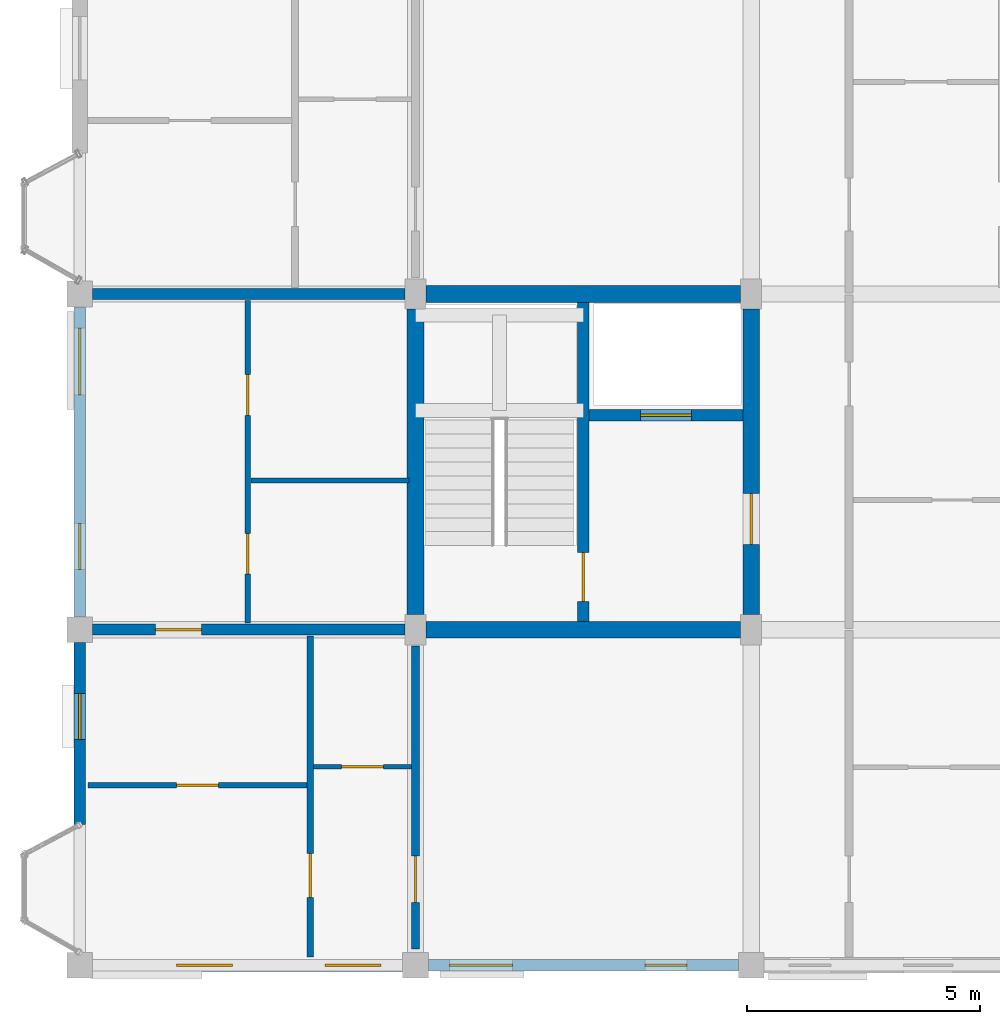
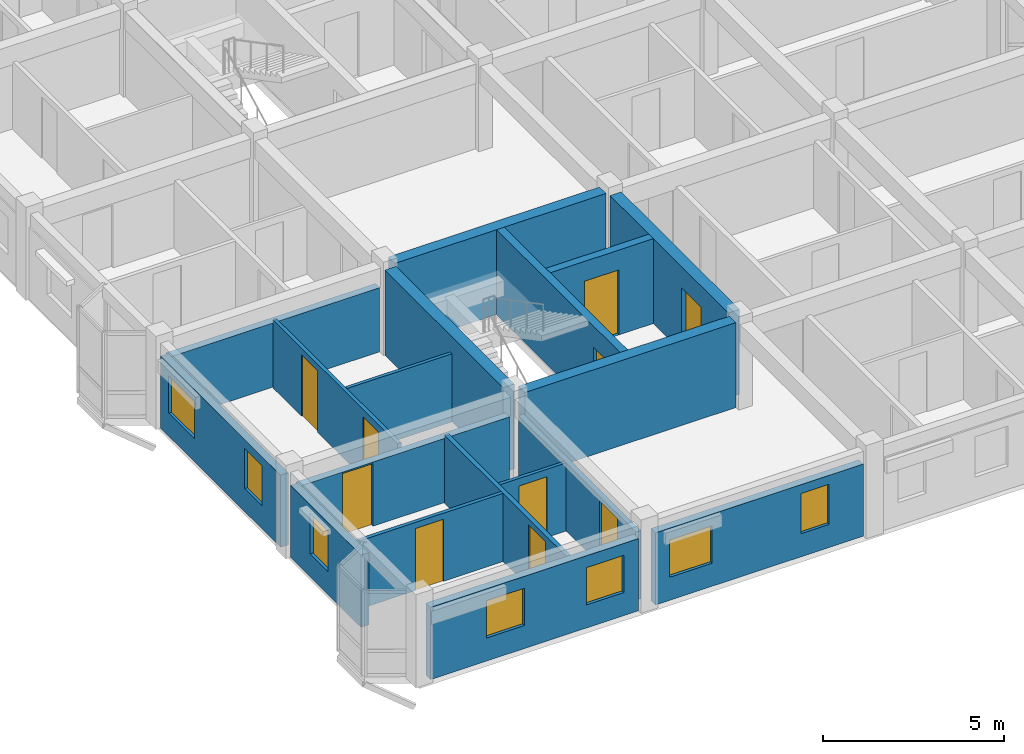
# One storey, part 50 of 77: 18 walls, 10 doors, 7 windows, 17 openings.
"""IFC4 building model written with IfcOpenShell, lengths in metres."""

from ifc_helpers import new_model, si_unit, direction, frame, frame_2d, origin, place, context, subcontext, project, spatial, rectangle, extrude, material, layer, layer_set, type_object, element, fill, save


model = new_model("IFC4")

# Units and contexts
model_context = context("Model", 3, precision=1e-05, world=origin(), true_north=direction((0.0, 1.0)))
body_context = subcontext(model_context, "Body", "Model", "MODEL_VIEW")
ifc_project = project(units=[si_unit("LENGTHUNIT", "METRE"), si_unit("AREAUNIT", "SQUARE_METRE"), si_unit("VOLUMEUNIT", "CUBIC_METRE"), si_unit("PLANEANGLEUNIT", "RADIAN"), si_unit("MASSUNIT", "GRAM", prefix="KILO"), si_unit("THERMODYNAMICTEMPERATUREUNIT", "KELVIN"), si_unit("POWERUNIT", "WATT")], contexts=[model_context])

# Site, building, storey
site_placement = place(None, origin())
site = spatial("IfcSite", under=ifc_project, at=site_placement, CompositionType="ELEMENT")
building_placement = place(site_placement, origin())
building = spatial("IfcBuilding", under=site, at=building_placement, Name="Tavuni Mirador Residences", CompositionType="ELEMENT")
storey_placement = place(building_placement, frame((0.0, 0.0, 17.10009765625)))
storey = spatial("IfcBuildingStorey", under=building, at=storey_placement, Name="L05", CompositionType="ELEMENT", Elevation=17.10009765625)

# Wall, opening, door
ifc_material_1 = material(Name="Precast concrete C40/50", Category="concrete")
ifc_layer_1 = layer(ifc_material_1, 0.25, Name="Precast concrete C40/50", Category="concrete")
ifc_layer_set_1 = layer_set([ifc_layer_1], Name="Precast concrete C40/50")
wall_type_1 = type_object("IfcWallType", Name="WT-COR250", PredefinedType="SHEAR", material=ifc_layer_set_1)
wall_1_placement = place(storey_placement, frame((14.39990234375, 14.580078125, 0.0), z_axis=(0.0, 0.0, 1.0), x_axis=(0.0, 1.0, 0.0)))
wall_1 = element("IfcWall", 1, at=wall_1_placement, inside=storey, type_object=wall_type_1, Name="CWALL-C1-L05-MID", PredefinedType="SHEAR", context=body_context, shape_type="SweptSolid", body=[
    extrude(rectangle(XDim=6.83984375, YDim=0.25, at=frame_2d((3.419921875, 0.0))), origin(), (0.0, 0.0, 1.0), 2.869873046875),
])
opening_1_placement = place(wall_1_placement, frame((0.419921875, 0.0, 0.0)))
opening_1 = element("IfcOpeningElement", 2, at=opening_1_placement, cuts=wall_1, Name="Opening D-01", PredefinedType="OPENING", context=body_context, shape_type="SweptSolid", body=[
    extrude(rectangle(XDim=1.050048828125, YDim=2.14990234375, at=frame_2d((0.52490234375, 1.074951171875))), frame((0.0, 0.135009765625, 0.0), z_axis=(0.0, -1.0, 0.0), x_axis=(1.0, 0.0, 0.0)), (0.0, 0.0, 1.0), 0.27001953125),
])
ifc_material_2 = material(Name="Solid core iroko timber", Category="wood")
door_type_1 = type_object("IfcDoorType", Name="DT-ST1050", OperationType="NOTDEFINED", PredefinedType="DOOR", material=ifc_material_2)
door_1_placement = place(opening_1_placement, origin())
door_1 = element("IfcDoor", 3, at=door_1_placement, inside=storey, type_object=door_type_1, Name="DR-2022", OperationType="SINGLE_SWING_RIGHT", OverallHeight=2.14990234375, OverallWidth=1.050048828125, PredefinedType="DOOR", context=body_context, shape_type="SweptSolid", body=[
    extrude(rectangle(XDim=1.050048828125, YDim=2.14990234375, at=frame_2d((0.52490234375, 1.074951171875))), frame((0.0, 0.02490234375, 0.0), z_axis=(0.0, -1.0, 0.0), x_axis=(1.0, 0.0, 0.0)), (0.0, 0.0, 1.0), 0.050048828125),
])
fill(opening_1, door_1)

wall_2_placement = place(storey_placement, frame((14.52490234375, 19.0, 0.0), z_axis=(0.0, 0.0, 1.0), x_axis=(1.0, 0.0, 0.0)))
wall_2 = element("IfcWall", 4, at=wall_2_placement, inside=storey, type_object=wall_type_1, Name="CWALL-C1-L05-SHF", PredefinedType="SHEAR", context=body_context, shape_type="SweptSolid", body=[
    extrude(rectangle(XDim=3.295166015625, YDim=0.25, at=frame_2d((1.6474609375, 0.0))), origin(), (0.0, 0.0, 1.0), 2.869873046875),
])
opening_2_placement = place(wall_2_placement, frame((1.10009765625, 0.0, 0.0)))
opening_2 = element("IfcOpeningElement", 5, at=opening_2_placement, cuts=wall_2, Name="Opening LD-01", PredefinedType="OPENING", context=body_context, shape_type="SweptSolid", body=[
    extrude(rectangle(XDim=1.10009765625, YDim=2.199951171875, at=frame_2d((0.550048828125, 1.10009765625))), frame((0.0, 0.135009765625, 0.0), z_axis=(0.0, -1.0, 0.0), x_axis=(1.0, 0.0, 0.0)), (0.0, 0.0, 1.0), 0.27001953125),
])
ifc_material_3 = material(Name="Structural steel S355", Category="steel")
door_type_2 = type_object("IfcDoorType", Name="DT-LD-FF", OperationType="SLIDING_TO_LEFT", PredefinedType="DOOR", material=ifc_material_3)
door_2_placement = place(opening_2_placement, origin())
door_2 = element("IfcDoor", 6, at=door_2_placement, inside=storey, type_object=door_type_2, Name="Lift landing door FL-A1 L05", OperationType="SLIDING_TO_LEFT", OverallHeight=2.199951171875, OverallWidth=1.10009765625, PredefinedType="DOOR", context=body_context, shape_type="SweptSolid", body=[
    extrude(rectangle(XDim=1.10009765625, YDim=2.199951171875, at=frame_2d((0.550048828125, 1.10009765625))), frame((0.0, 0.02490234375, 0.0), z_axis=(0.0, -1.0, 0.0), x_axis=(1.0, 0.0, 0.0)), (0.0, 0.0, 1.0), 0.050048828125),
])
fill(opening_2, door_2)

# Walls
ifc_layer_2 = layer(ifc_material_1, 0.360107421875, Name="Precast concrete C40/50", Category="concrete")
ifc_layer_set_2 = layer_set([ifc_layer_2], Name="Precast concrete C40/50")
wall_type_2 = type_object("IfcWallType", Name="WT-COR360", PredefinedType="SHEAR", material=ifc_layer_set_2)
wall_3_placement = place(storey_placement, frame((10.800048828125, 14.72509765625, 0.0), z_axis=(0.0, 0.0, 1.0), x_axis=(0.0, 1.0, 0.0)))
element("IfcWall", 7, at=wall_3_placement, inside=storey, type_object=wall_type_2, Name="CWALL-C1-L05-W", PredefinedType="SHEAR", context=body_context, shape_type="SweptSolid", body=[
    extrude(rectangle(XDim=6.5498046875, YDim=0.360107421875, at=frame_2d((3.27490234375, 0.0))), origin(), (0.0, 0.0, 1.0), 2.869873046875),
])
wall_4_placement = place(storey_placement, frame((11.02490234375, 21.60009765625, 0.0), z_axis=(0.0, 0.0, 1.0), x_axis=(1.0, 0.0, 0.0)))
element("IfcWall", 8, at=wall_4_placement, inside=storey, type_object=wall_type_2, Name="CWALL-C1-L05-N", PredefinedType="SHEAR", context=body_context, shape_type="SweptSolid", body=[
    extrude(rectangle(XDim=6.75, YDim=0.360107421875, at=frame_2d((3.375, 0.0))), origin(), (0.0, 0.0, 1.0), 2.869873046875),
])

# Wall, opening, door
wall_5_placement = place(storey_placement, frame((18.0, 14.72509765625, 0.0), z_axis=(0.0, 0.0, 1.0), x_axis=(0.0, 1.0, 0.0)))
wall_5 = element("IfcWall", 9, at=wall_5_placement, inside=storey, type_object=wall_type_2, Name="CWALL-C1-L05-E", PredefinedType="SHEAR", context=body_context, shape_type="SweptSolid", body=[
    extrude(rectangle(XDim=6.5498046875, YDim=0.360107421875, at=frame_2d((3.27490234375, 0.0))), origin(), (0.0, 0.0, 1.0), 2.869873046875),
])
opening_3_placement = place(wall_5_placement, frame((1.5, 0.0, 0.0)))
opening_3 = element("IfcOpeningElement", 10, at=opening_3_placement, cuts=wall_5, Name="Opening D-02", PredefinedType="OPENING", context=body_context, shape_type="SweptSolid", body=[
    extrude(rectangle(XDim=1.10009765625, YDim=2.14990234375, at=frame_2d((0.550048828125, 1.074951171875))), frame((0.0, 0.18994140625, 0.0), z_axis=(0.0, -1.0, 0.0), x_axis=(1.0, 0.0, 0.0)), (0.0, 0.0, 1.0), 0.380126953125),
])
door_type_3 = type_object("IfcDoorType", Name="DT-LOB1100", OperationType="NOTDEFINED", PredefinedType="DOOR", material=ifc_material_2)
door_3_placement = place(opening_3_placement, frame((1.10009765625, 0.0, 0.0), z_axis=(0.0, 0.0, 1.0), x_axis=(-1.0, 0.0, 0.0)))
door_3 = element("IfcDoor", 11, at=door_3_placement, inside=storey, type_object=door_type_3, Name="DR-2021", OperationType="SINGLE_SWING_RIGHT", OverallHeight=2.14990234375, OverallWidth=1.10009765625, PredefinedType="DOOR", context=body_context, shape_type="SweptSolid", body=[
    extrude(rectangle(XDim=1.10009765625, YDim=2.14990234375, at=frame_2d((0.550048828125, 1.074951171875))), frame((0.0, 0.02490234375, 0.0), z_axis=(0.0, -1.0, 0.0), x_axis=(1.0, 0.0, 0.0)), (0.0, 0.0, 1.0), 0.050048828125),
])
fill(opening_3, door_3)

# Wall
wall_6_placement = place(storey_placement, frame((11.02490234375, 14.39990234375, 0.0), z_axis=(0.0, 0.0, 1.0), x_axis=(1.0, 0.0, 0.0)))
element("IfcWall", 12, at=wall_6_placement, inside=storey, type_object=wall_type_2, Name="CWALL-C1-L05-SS", PredefinedType="SHEAR", context=body_context, shape_type="SweptSolid", body=[
    extrude(rectangle(XDim=6.75, YDim=0.360107421875, at=frame_2d((3.375, 0.0))), origin(), (0.0, 0.0, 1.0), 2.869873046875),
])

# Wall, opening, door
ifc_layer_3 = layer(ifc_material_1, 0.1650390625, Name="Precast concrete C40/50", Category="concrete")
ifc_layer_set_3 = layer_set([ifc_layer_3], Name="Precast concrete C40/50")
wall_type_3 = type_object("IfcWallType", Name="WT-CORR165", PredefinedType="PARTITIONING", material=ifc_layer_set_3)
wall_7_placement = place(storey_placement, frame((10.800048828125, 7.550048828125, 0.0), z_axis=(0.0, 0.0, 1.0), x_axis=(0.0, 1.0, 0.0)))
wall_7 = element("IfcWall", 13, at=wall_7_placement, inside=storey, type_object=wall_type_3, Name="CORW-BLK-A-L05-1-00", PredefinedType="PARTITIONING", context=body_context, shape_type="SweptSolid", body=[
    extrude(rectangle(XDim=6.5, YDim=0.1650390625, at=frame_2d((3.25, 0.0))), origin(), (0.0, 0.0, 1.0), 2.304931640625),
])
opening_4_placement = place(wall_7_placement, frame((1.0, 0.0, 0.0)))
opening_4 = element("IfcOpeningElement", 14, at=opening_4_placement, cuts=wall_7, Name="Opening D-03", PredefinedType="OPENING", context=body_context, shape_type="SweptSolid", body=[
    extrude(rectangle(XDim=1.0, YDim=2.14990234375, at=frame_2d((0.5, 1.074951171875))), frame((0.0, 0.092529296875, 0.0), z_axis=(0.0, -1.0, 0.0), x_axis=(1.0, 0.0, 0.0)), (0.0, 0.0, 1.0), 0.18505859375),
])
door_type_4 = type_object("IfcDoorType", Name="DT-FD60-1000", OperationType="NOTDEFINED", PredefinedType="DOOR", material=ifc_material_2)
door_4_placement = place(opening_4_placement, origin())
door_4 = element("IfcDoor", 15, at=door_4_placement, inside=storey, type_object=door_type_4, Name="DR-2439", OperationType="SINGLE_SWING_RIGHT", OverallHeight=2.14990234375, OverallWidth=1.0, PredefinedType="DOOR", context=body_context, shape_type="SweptSolid", body=[
    extrude(rectangle(XDim=1.0, YDim=2.14990234375, at=frame_2d((0.5, 1.074951171875))), frame((0.0, 0.02490234375, 0.0), z_axis=(0.0, -1.0, 0.0), x_axis=(1.0, 0.0, 0.0)), (0.0, 0.0, 1.0), 0.050048828125),
])
fill(opening_4, door_4)

# Wall, openings, windows
ifc_material_4 = material(Name="Sgraffito lime-rendered precast concrete C40/50", Category="concrete")
ifc_layer_4 = layer(ifc_material_4, 0.2451171875, Name="Sgraffito lime-rendered precast concrete C40/50", Category="concrete")
ifc_layer_set_4 = layer_set([ifc_layer_4], Name="Sgraffito lime-rendered precast concrete C40/50")
wall_type_4 = type_object("IfcWallType", Name="WT-EXT-PC245", PredefinedType="SOLIDWALL", material=ifc_layer_set_4)
wall_8_placement = place(storey_placement, frame((11.074951171875, 7.199951171875, 0.0), z_axis=(0.0, 0.0, 1.0), x_axis=(1.0, 0.0, 0.0)))
wall_8 = element("IfcWall", 16, at=wall_8_placement, inside=storey, type_object=wall_type_4, Name="EW-BLK-A-L05-S01", PredefinedType="SOLIDWALL", context=body_context, shape_type="SweptSolid", body=[
    extrude(rectangle(XDim=6.650146484375, YDim=0.2451171875, at=frame_2d((3.3251953125, 0.0))), origin(), (0.0, 0.0, 1.0), 2.43994140625),
])
opening_5_placement = place(wall_8_placement, frame((0.449951171875, 0.0, 0.780029296875)))
opening_5 = element("IfcOpeningElement", 17, at=opening_5_placement, cuts=wall_8, Name="Opening WN-15", PredefinedType="OPENING", context=body_context, shape_type="SweptSolid", body=[
    extrude(rectangle(XDim=1.360107421875, YDim=1.260009765625, at=frame_2d((0.68017578125, 0.6298828125))), frame((0.0, 0.132568359375, 0.0), z_axis=(0.0, -1.0, 0.0), x_axis=(1.0, 0.0, 0.0)), (0.0, 0.0, 1.0), 0.26513671875),
])
opening_6_placement = place(wall_8_placement, frame((4.64990234375, 0.0, 0.780029296875)))
opening_6 = element("IfcOpeningElement", 18, at=opening_6_placement, cuts=wall_8, Name="Opening WN-17", PredefinedType="OPENING", context=body_context, shape_type="SweptSolid", body=[
    extrude(rectangle(XDim=0.89990234375, YDim=1.360107421875, at=frame_2d((0.449951171875, 0.68017578125))), frame((0.0, 0.132568359375, 0.0), z_axis=(0.0, -1.0, 0.0), x_axis=(1.0, 0.0, 0.0)), (0.0, 0.0, 1.0), 0.26513671875),
])
ifc_material_5 = material(Name="Laminated solar-control glass", Category="glass")
window_type_1 = type_object("IfcWindowType", Name="WNT-15", PartitioningType="SINGLE_PANEL", PredefinedType="WINDOW", material=ifc_material_5)
window_1_placement = place(opening_5_placement, origin())
window_1 = element("IfcWindow", 19, at=window_1_placement, inside=storey, type_object=window_type_1, Name="WIN-0189", OverallHeight=1.260009765625, OverallWidth=1.360107421875, PartitioningType="SINGLE_PANEL", PredefinedType="WINDOW", context=body_context, shape_type="SweptSolid", body=[
    extrude(rectangle(XDim=1.360107421875, YDim=1.260009765625, at=frame_2d((0.68017578125, 0.6298828125))), frame((0.0, 0.030029296875, 0.0), z_axis=(0.0, -1.0, 0.0), x_axis=(1.0, 0.0, 0.0)), (0.0, 0.0, 1.0), 0.06005859375),
])
fill(opening_5, window_1)
window_type_2 = type_object("IfcWindowType", Name="WNT-17", PartitioningType="SINGLE_PANEL", PredefinedType="WINDOW", material=ifc_material_5)
window_2_placement = place(opening_6_placement, origin())
window_2 = element("IfcWindow", 20, at=window_2_placement, inside=storey, type_object=window_type_2, Name="WIN-0190", OverallHeight=1.360107421875, OverallWidth=0.89990234375, PartitioningType="SINGLE_PANEL", PredefinedType="WINDOW", context=body_context, shape_type="SweptSolid", body=[
    extrude(rectangle(XDim=0.89990234375, YDim=1.360107421875, at=frame_2d((0.449951171875, 0.68017578125))), frame((0.0, 0.030029296875, 0.0), z_axis=(0.0, -1.0, 0.0), x_axis=(1.0, 0.0, 0.0)), (0.0, 0.0, 1.0), 0.06005859375),
])
fill(opening_6, window_2)

wall_9_placement = place(storey_placement, frame((3.60009765625, 21.324951171875, 0.0), z_axis=(0.0, 0.0, 1.0), x_axis=(0.0, -1.0, 0.0)))
wall_9 = element("IfcWall", 21, at=wall_9_placement, inside=storey, type_object=wall_type_4, Name="EW-BLK-A-L05-W01", PredefinedType="SOLIDWALL", context=body_context, shape_type="SweptSolid", body=[
    extrude(rectangle(XDim=6.64990234375, YDim=0.2451171875, at=frame_2d((3.324951171875, 0.0))), origin(), (0.0, 0.0, 1.0), 2.43994140625),
])
opening_7_placement = place(wall_9_placement, frame((0.449951171875, 0.0, 0.780029296875)))
opening_7 = element("IfcOpeningElement", 22, at=opening_7_placement, cuts=wall_9, Name="Opening WN-16", PredefinedType="OPENING", context=body_context, shape_type="SweptSolid", body=[
    extrude(rectangle(XDim=1.43994140625, YDim=1.260009765625, at=frame_2d((0.719970703125, 0.6298828125))), frame((0.0, 0.132568359375, 0.0), z_axis=(0.0, -1.0, 0.0), x_axis=(1.0, 0.0, 0.0)), (0.0, 0.0, 1.0), 0.26513671875),
])
opening_8_placement = place(wall_9_placement, frame((4.64990234375, 0.0, 0.780029296875)))
opening_8 = element("IfcOpeningElement", 23, at=opening_8_placement, cuts=wall_9, Name="Opening WN-18", PredefinedType="OPENING", context=body_context, shape_type="SweptSolid", body=[
    extrude(rectangle(XDim=0.97998046875, YDim=1.360107421875, at=frame_2d((0.489990234375, 0.68017578125))), frame((0.0, 0.132568359375, 0.0), z_axis=(0.0, -1.0, 0.0), x_axis=(1.0, 0.0, 0.0)), (0.0, 0.0, 1.0), 0.26513671875),
])
window_type_3 = type_object("IfcWindowType", Name="WNT-16", PartitioningType="SINGLE_PANEL", PredefinedType="WINDOW", material=ifc_material_5)
window_3_placement = place(opening_7_placement, origin())
window_3 = element("IfcWindow", 24, at=window_3_placement, inside=storey, type_object=window_type_3, Name="WIN-0220", OverallHeight=1.260009765625, OverallWidth=1.43994140625, PartitioningType="SINGLE_PANEL", PredefinedType="WINDOW", context=body_context, shape_type="SweptSolid", body=[
    extrude(rectangle(XDim=1.43994140625, YDim=1.260009765625, at=frame_2d((0.719970703125, 0.6298828125))), frame((0.0, 0.030029296875, 0.0), z_axis=(0.0, -1.0, 0.0), x_axis=(1.0, 0.0, 0.0)), (0.0, 0.0, 1.0), 0.06005859375),
])
fill(opening_7, window_3)
window_type_4 = type_object("IfcWindowType", Name="WNT-18", PartitioningType="SINGLE_PANEL", PredefinedType="WINDOW", material=ifc_material_5)
window_4_placement = place(opening_8_placement, origin())
window_4 = element("IfcWindow", 25, at=window_4_placement, inside=storey, type_object=window_type_4, Name="WIN-0221", OverallHeight=1.360107421875, OverallWidth=0.97998046875, PartitioningType="SINGLE_PANEL", PredefinedType="WINDOW", context=body_context, shape_type="SweptSolid", body=[
    extrude(rectangle(XDim=0.97998046875, YDim=1.360107421875, at=frame_2d((0.489990234375, 0.68017578125))), frame((0.0, 0.030029296875, 0.0), z_axis=(0.0, -1.0, 0.0), x_axis=(1.0, 0.0, 0.0)), (0.0, 0.0, 1.0), 0.06005859375),
])
fill(opening_8, window_4)

ifc_layer_5 = layer(ifc_material_4, 0.2548828125, Name="Sgraffito lime-rendered precast concrete C40/50", Category="concrete")
ifc_layer_set_5 = layer_set([ifc_layer_5], Name="Sgraffito lime-rendered precast concrete C40/50")
wall_type_5 = type_object("IfcWallType", Name="WT-EXT-PC255", PredefinedType="SOLIDWALL", material=ifc_layer_set_5)
wall_10_placement = place(storey_placement, frame((3.875, 7.199951171875, 0.0), z_axis=(0.0, 0.0, 1.0), x_axis=(1.0, 0.0, 0.0)))
wall_10 = element("IfcWall", 26, at=wall_10_placement, inside=storey, type_object=wall_type_5, Name="EW-BLK-A-L05-S00", PredefinedType="SOLIDWALL", context=body_context, shape_type="SweptSolid", body=[
    extrude(rectangle(XDim=6.64990234375, YDim=0.2548828125, at=frame_2d((3.324951171875, 0.0))), origin(), (0.0, 0.0, 1.0), 2.43994140625),
])
opening_9_placement = place(wall_10_placement, frame((1.802490234375, 0.0, 0.780029296875)))
opening_9 = element("IfcOpeningElement", 27, at=opening_9_placement, cuts=wall_10, Name="Opening WN-13", PredefinedType="OPENING", context=body_context, shape_type="SweptSolid", body=[
    extrude(rectangle(XDim=1.199951171875, YDim=1.260009765625, at=frame_2d((0.60009765625, 0.6298828125))), frame((0.0, 0.137451171875, 0.0), z_axis=(0.0, -1.0, 0.0), x_axis=(1.0, 0.0, 0.0)), (0.0, 0.0, 1.0), 0.27490234375),
])
opening_10_placement = place(wall_10_placement, frame((4.987548828125, 0.0, 0.780029296875)))
opening_10 = element("IfcOpeningElement", 28, at=opening_10_placement, cuts=wall_10, Name="Opening WN-13", PredefinedType="OPENING", context=body_context, shape_type="SweptSolid", body=[
    extrude(rectangle(XDim=1.199951171875, YDim=1.260009765625, at=frame_2d((0.60009765625, 0.6298828125))), frame((0.0, 0.137451171875, 0.0), z_axis=(0.0, -1.0, 0.0), x_axis=(1.0, 0.0, 0.0)), (0.0, 0.0, 1.0), 0.27490234375),
])
window_type_5 = type_object("IfcWindowType", Name="WNT-13", PartitioningType="SINGLE_PANEL", PredefinedType="WINDOW", material=ifc_material_5)
window_5_placement = place(opening_9_placement, origin())
window_5 = element("IfcWindow", 29, at=window_5_placement, inside=storey, type_object=window_type_5, Name="WIN-0187", OverallHeight=1.260009765625, OverallWidth=1.199951171875, PartitioningType="SINGLE_PANEL", PredefinedType="WINDOW", context=body_context, shape_type="SweptSolid", body=[
    extrude(rectangle(XDim=1.199951171875, YDim=1.260009765625, at=frame_2d((0.60009765625, 0.6298828125))), frame((0.0, 0.030029296875, 0.0), z_axis=(0.0, -1.0, 0.0), x_axis=(1.0, 0.0, 0.0)), (0.0, 0.0, 1.0), 0.06005859375),
])
fill(opening_9, window_5)
window_6_placement = place(opening_10_placement, origin())
window_6 = element("IfcWindow", 30, at=window_6_placement, inside=storey, type_object=window_type_5, Name="WIN-0188", OverallHeight=1.260009765625, OverallWidth=1.199951171875, PartitioningType="SINGLE_PANEL", PredefinedType="WINDOW", context=body_context, shape_type="SweptSolid", body=[
    extrude(rectangle(XDim=1.199951171875, YDim=1.260009765625, at=frame_2d((0.60009765625, 0.6298828125))), frame((0.0, 0.030029296875, 0.0), z_axis=(0.0, -1.0, 0.0), x_axis=(1.0, 0.0, 0.0)), (0.0, 0.0, 1.0), 0.06005859375),
])
fill(opening_10, window_6)

# Wall, opening, window
wall_11_placement = place(storey_placement, frame((3.60009765625, 14.125, 0.0), z_axis=(0.0, 0.0, 1.0), x_axis=(0.0, -1.0, 0.0)))
wall_11 = element("IfcWall", 31, at=wall_11_placement, inside=storey, type_object=wall_type_5, Name="EW-BLK-A-L05-W00", PredefinedType="SOLIDWALL", context=body_context, shape_type="SweptSolid", body=[
    extrude(rectangle(XDim=3.905029296875, YDim=0.2548828125, at=frame_2d((1.95263671875, 0.0))), origin(), (0.0, 0.0, 1.0), 2.43994140625),
])
opening_11_placement = place(wall_11_placement, frame((1.097412109375, 0.0, 0.780029296875)))
opening_11 = element("IfcOpeningElement", 32, at=opening_11_placement, cuts=wall_11, Name="Opening WN-18", PredefinedType="OPENING", context=body_context, shape_type="SweptSolid", body=[
    extrude(rectangle(XDim=0.97998046875, YDim=1.360107421875, at=frame_2d((0.489990234375, 0.68017578125))), frame((0.0, 0.137451171875, 0.0), z_axis=(0.0, -1.0, 0.0), x_axis=(1.0, 0.0, 0.0)), (0.0, 0.0, 1.0), 0.27490234375),
])
window_7_placement = place(opening_11_placement, origin())
window_7 = element("IfcWindow", 33, at=window_7_placement, inside=storey, type_object=window_type_4, Name="WIN-0222", OverallHeight=1.360107421875, OverallWidth=0.97998046875, PartitioningType="SINGLE_PANEL", PredefinedType="WINDOW", context=body_context, shape_type="SweptSolid", body=[
    extrude(rectangle(XDim=0.97998046875, YDim=1.360107421875, at=frame_2d((0.489990234375, 0.68017578125))), frame((0.0, 0.030029296875, 0.0), z_axis=(0.0, -1.0, 0.0), x_axis=(1.0, 0.0, 0.0)), (0.0, 0.0, 1.0), 0.06005859375),
])
fill(opening_11, window_7)

# Wall, opening, door
ifc_material_6 = material(Name="Acoustic gypsum and concrete block partition", Category="concrete")
ifc_layer_6 = layer(ifc_material_6, 0.10498046875, Name="Acoustic gypsum and concrete block partition", Category="concrete")
ifc_layer_set_6 = layer_set([ifc_layer_6], Name="Acoustic gypsum and concrete block partition")
wall_type_6 = type_object("IfcWallType", Name="WT-PART105", PredefinedType="PARTITIONING", material=ifc_layer_set_6)
wall_12_placement = place(storey_placement, frame((8.610107421875, 11.4599609375, 0.0), z_axis=(0.0, 0.0, 1.0), x_axis=(1.0, 0.0, 0.0)))
wall_12 = element("IfcWall", 34, at=wall_12_placement, inside=storey, type_object=wall_type_6, Name="PW-BLK-A-L05-W00-IN1", PredefinedType="PARTITIONING", context=body_context, shape_type="SweptSolid", body=[
    extrude(rectangle(XDim=2.099853515625, YDim=0.10498046875, at=frame_2d((1.0498046875, 0.0))), origin(), (0.0, 0.0, 1.0), 2.304931640625),
])
opening_12_placement = place(wall_12_placement, frame((0.60009765625, 0.0, 0.0)))
opening_12 = element("IfcOpeningElement", 35, at=opening_12_placement, cuts=wall_12, Name="Opening D-09", PredefinedType="OPENING", context=body_context, shape_type="SweptSolid", body=[
    extrude(rectangle(XDim=0.89990234375, YDim=2.050048828125, at=frame_2d((0.449951171875, 1.02490234375))), frame((0.0, 0.0625, 0.0), z_axis=(0.0, -1.0, 0.0), x_axis=(1.0, 0.0, 0.0)), (0.0, 0.0, 1.0), 0.125),
])
door_type_5 = type_object("IfcDoorType", Name="DT-WC900", OperationType="NOTDEFINED", PredefinedType="DOOR", material=ifc_material_2)
door_5_placement = place(opening_12_placement, origin())
door_5 = element("IfcDoor", 36, at=door_5_placement, inside=storey, type_object=door_type_5, Name="DR-3100", OperationType="SINGLE_SWING_RIGHT", OverallHeight=2.050048828125, OverallWidth=0.89990234375, PredefinedType="DOOR", context=body_context, shape_type="SweptSolid", body=[
    extrude(rectangle(XDim=0.89990234375, YDim=2.050048828125, at=frame_2d((0.449951171875, 1.02490234375))), frame((0.0, 0.02490234375, 0.0), z_axis=(0.0, -1.0, 0.0), x_axis=(1.0, 0.0, 0.0)), (0.0, 0.0, 1.0), 0.050048828125),
])
fill(opening_12, door_5)

# Wall
wall_13_placement = place(storey_placement, frame((7.27001953125, 17.60009765625, 0.0), z_axis=(0.0, 0.0, 1.0), x_axis=(1.0, 0.0, 0.0)))
element("IfcWall", 37, at=wall_13_placement, inside=storey, type_object=wall_type_6, Name="PW-BLK-A-L05-WC01-H", PredefinedType="PARTITIONING", context=body_context, shape_type="SweptSolid", body=[
    extrude(rectangle(XDim=3.389892578125, YDim=0.10498046875, at=frame_2d((1.69482421875, 0.0))), origin(), (0.0, 0.0, 1.0), 2.304931640625),
])

# Wall, opening, door
ifc_layer_7 = layer(ifc_material_6, 0.114990234375, Name="Acoustic gypsum and concrete block partition", Category="concrete")
ifc_layer_set_7 = layer_set([ifc_layer_7], Name="Acoustic gypsum and concrete block partition")
wall_type_7 = type_object("IfcWallType", Name="WT-PART115", PredefinedType="PARTITIONING", material=ifc_layer_set_7)
wall_14_placement = place(storey_placement, frame((3.77490234375, 11.06005859375, 0.0), z_axis=(0.0, 0.0, 1.0), x_axis=(1.0, 0.0, 0.0)))
wall_14 = element("IfcWall", 38, at=wall_14_placement, inside=storey, type_object=wall_type_7, Name="PW-BLK-A-L05-W00-OUT", PredefinedType="PARTITIONING", context=body_context, shape_type="SweptSolid", body=[
    extrude(rectangle(XDim=4.695068359375, YDim=0.114990234375, at=frame_2d((2.34765625, 0.0))), origin(), (0.0, 0.0, 1.0), 2.304931640625),
])
opening_13_placement = place(wall_14_placement, frame((1.8974609375, 0.0, 0.0)))
opening_13 = element("IfcOpeningElement", 39, at=opening_13_placement, cuts=wall_14, Name="Opening D-07", PredefinedType="OPENING", context=body_context, shape_type="SweptSolid", body=[
    extrude(rectangle(XDim=0.89990234375, YDim=2.10009765625, at=frame_2d((0.449951171875, 1.050048828125))), frame((0.0, 0.0673828125, 0.0), z_axis=(0.0, -1.0, 0.0), x_axis=(1.0, 0.0, 0.0)), (0.0, 0.0, 1.0), 0.135009765625),
])
door_type_6 = type_object("IfcDoorType", Name="DT-BED900", OperationType="NOTDEFINED", PredefinedType="DOOR", material=ifc_material_2)
door_6_placement = place(opening_13_placement, origin())
door_6 = element("IfcDoor", 40, at=door_6_placement, inside=storey, type_object=door_type_6, Name="DR-3099", OperationType="SINGLE_SWING_LEFT", OverallHeight=2.10009765625, OverallWidth=0.89990234375, PredefinedType="DOOR", context=body_context, shape_type="SweptSolid", body=[
    extrude(rectangle(XDim=0.89990234375, YDim=2.10009765625, at=frame_2d((0.449951171875, 1.050048828125))), frame((0.0, 0.02490234375, 0.0), z_axis=(0.0, -1.0, 0.0), x_axis=(1.0, 0.0, 0.0)), (0.0, 0.0, 1.0), 0.050048828125),
])
fill(opening_13, door_6)

# Wall, openings, doors
wall_15_placement = place(storey_placement, frame((7.199951171875, 14.5400390625, 0.0), z_axis=(0.0, 0.0, 1.0), x_axis=(0.0, 1.0, 0.0)))
wall_15 = element("IfcWall", 41, at=wall_15_placement, inside=storey, type_object=wall_type_7, Name="PW-BLK-A-L05-WC01-M", PredefinedType="PARTITIONING", context=body_context, shape_type="SweptSolid", body=[
    extrude(rectangle(XDim=6.919921875, YDim=0.114990234375, at=frame_2d((3.4599609375, 0.0))), origin(), (0.0, 0.0, 1.0), 2.304931640625),
])
opening_14_placement = place(wall_15_placement, frame((1.050048828125, 0.0, 0.0)))
opening_14 = element("IfcOpeningElement", 42, at=opening_14_placement, cuts=wall_15, Name="Opening D-10", PredefinedType="OPENING", context=body_context, shape_type="SweptSolid", body=[
    extrude(rectangle(XDim=0.8701171875, YDim=2.050048828125, at=frame_2d((0.43505859375, 1.02490234375))), frame((0.0, 0.0673828125, 0.0), z_axis=(0.0, -1.0, 0.0), x_axis=(1.0, 0.0, 0.0)), (0.0, 0.0, 1.0), 0.135009765625),
])
opening_15_placement = place(wall_15_placement, frame((4.449951171875, 0.0, 0.0)))
opening_15 = element("IfcOpeningElement", 43, at=opening_15_placement, cuts=wall_15, Name="Opening D-08", PredefinedType="OPENING", context=body_context, shape_type="SweptSolid", body=[
    extrude(rectangle(XDim=0.8798828125, YDim=2.080078125, at=frame_2d((0.43994140625, 1.0400390625))), frame((0.0, 0.0673828125, 0.0), z_axis=(0.0, -1.0, 0.0), x_axis=(1.0, 0.0, 0.0)), (0.0, 0.0, 1.0), 0.135009765625),
])
door_type_7 = type_object("IfcDoorType", Name="DT-BED880", OperationType="NOTDEFINED", PredefinedType="DOOR", material=ifc_material_2)
door_7_placement = place(opening_15_placement, origin())
door_7 = element("IfcDoor", 44, at=door_7_placement, inside=storey, type_object=door_type_7, Name="DR-3106", OperationType="SINGLE_SWING_LEFT", OverallHeight=2.080078125, OverallWidth=0.8798828125, PredefinedType="DOOR", context=body_context, shape_type="SweptSolid", body=[
    extrude(rectangle(XDim=0.8798828125, YDim=2.080078125, at=frame_2d((0.43994140625, 1.0400390625))), frame((0.0, 0.02490234375, 0.0), z_axis=(0.0, -1.0, 0.0), x_axis=(1.0, 0.0, 0.0)), (0.0, 0.0, 1.0), 0.050048828125),
])
fill(opening_15, door_7)
door_type_8 = type_object("IfcDoorType", Name="DT-WC870", OperationType="NOTDEFINED", PredefinedType="DOOR", material=ifc_material_2)
door_8_placement = place(opening_14_placement, origin())
door_8 = element("IfcDoor", 45, at=door_8_placement, inside=storey, type_object=door_type_8, Name="DR-3105", OperationType="SINGLE_SWING_RIGHT", OverallHeight=2.050048828125, OverallWidth=0.8701171875, PredefinedType="DOOR", context=body_context, shape_type="SweptSolid", body=[
    extrude(rectangle(XDim=0.8701171875, YDim=2.050048828125, at=frame_2d((0.43505859375, 1.02490234375))), frame((0.0, 0.02490234375, 0.0), z_axis=(0.0, -1.0, 0.0), x_axis=(1.0, 0.0, 0.0)), (0.0, 0.0, 1.0), 0.050048828125),
])
fill(opening_14, door_8)

# Wall, opening, door
ifc_layer_8 = layer(ifc_material_6, 0.139892578125, Name="Acoustic gypsum and concrete block partition", Category="concrete")
ifc_layer_set_8 = layer_set([ifc_layer_8], Name="Acoustic gypsum and concrete block partition")
wall_type_8 = type_object("IfcWallType", Name="WT-PART140", PredefinedType="PARTITIONING", material=ifc_layer_set_8)
wall_16_placement = place(storey_placement, frame((8.5400390625, 7.375, 0.0), z_axis=(0.0, 0.0, 1.0), x_axis=(0.0, 1.0, 0.0)))
wall_16 = element("IfcWall", 46, at=wall_16_placement, inside=storey, type_object=wall_type_8, Name="PW-BLK-A-L05-W00-MID", PredefinedType="PARTITIONING", context=body_context, shape_type="SweptSolid", body=[
    extrude(rectangle(XDim=6.885009765625, YDim=0.139892578125, at=frame_2d((3.4423828125, 0.0))), origin(), (0.0, 0.0, 1.0), 2.304931640625),
])
opening_16_placement = place(wall_16_placement, frame((1.27490234375, 0.0, 0.0)))
opening_16 = element("IfcOpeningElement", 47, at=opening_16_placement, cuts=wall_16, Name="Opening D-05", PredefinedType="OPENING", context=body_context, shape_type="SweptSolid", body=[
    extrude(rectangle(XDim=0.949951171875, YDim=2.10009765625, at=frame_2d((0.47509765625, 1.050048828125))), frame((0.0, 0.080078125, 0.0), z_axis=(0.0, -1.0, 0.0), x_axis=(1.0, 0.0, 0.0)), (0.0, 0.0, 1.0), 0.159912109375),
])
door_type_9 = type_object("IfcDoorType", Name="DT-INT950", OperationType="NOTDEFINED", PredefinedType="DOOR", material=ifc_material_2)
door_9_placement = place(opening_16_placement, origin())
door_9 = element("IfcDoor", 48, at=door_9_placement, inside=storey, type_object=door_type_9, Name="DR-3101", OperationType="SINGLE_SWING_LEFT", OverallHeight=2.10009765625, OverallWidth=0.949951171875, PredefinedType="DOOR", context=body_context, shape_type="SweptSolid", body=[
    extrude(rectangle(XDim=0.949951171875, YDim=2.10009765625, at=frame_2d((0.47509765625, 1.050048828125))), frame((0.0, 0.02490234375, 0.0), z_axis=(0.0, -1.0, 0.0), x_axis=(1.0, 0.0, 0.0)), (0.0, 0.0, 1.0), 0.050048828125),
])
fill(opening_16, door_9)

ifc_layer_9 = layer(ifc_material_1, 0.235107421875, Name="Precast concrete C40/50", Category="concrete")
ifc_layer_set_9 = layer_set([ifc_layer_9], Name="Precast concrete C40/50")
wall_type_9 = type_object("IfcWallType", Name="WT-XW235", PredefinedType="SOLIDWALL", material=ifc_layer_set_9)
wall_17_placement = place(storey_placement, frame((3.875, 14.39990234375, 0.0), z_axis=(0.0, 0.0, 1.0), x_axis=(1.0, 0.0, 0.0)))
wall_17 = element("IfcWall", 49, at=wall_17_placement, inside=storey, type_object=wall_type_9, Name="XW-BLK-A-L05-W-01", PredefinedType="SOLIDWALL", context=body_context, shape_type="SweptSolid", body=[
    extrude(rectangle(XDim=6.699951171875, YDim=0.235107421875, at=frame_2d((3.35009765625, 0.0))), origin(), (0.0, 0.0, 1.0), 2.169921875),
])
opening_17_placement = place(wall_17_placement, frame((1.35009765625, 0.0, 0.0)))
opening_17 = element("IfcOpeningElement", 50, at=opening_17_placement, cuts=wall_17, Name="Opening D-04", PredefinedType="OPENING", context=body_context, shape_type="SweptSolid", body=[
    extrude(rectangle(XDim=0.97998046875, YDim=2.1201171875, at=frame_2d((0.489990234375, 1.06005859375))), frame((0.0, 0.12744140625, 0.0), z_axis=(0.0, -1.0, 0.0), x_axis=(1.0, 0.0, 0.0)), (0.0, 0.0, 1.0), 0.255126953125),
])
door_type_10 = type_object("IfcDoorType", Name="DT-FD60-980", OperationType="NOTDEFINED", PredefinedType="DOOR", material=ifc_material_2)
door_10_placement = place(opening_17_placement, origin())
door_10 = element("IfcDoor", 51, at=door_10_placement, inside=storey, type_object=door_type_10, Name="DR-4684", OperationType="SINGLE_SWING_LEFT", OverallHeight=2.1201171875, OverallWidth=0.97998046875, PredefinedType="DOOR", context=body_context, shape_type="SweptSolid", body=[
    extrude(rectangle(XDim=0.97998046875, YDim=2.1201171875, at=frame_2d((0.489990234375, 1.06005859375))), frame((0.0, 0.02490234375, 0.0), z_axis=(0.0, -1.0, 0.0), x_axis=(1.0, 0.0, 0.0)), (0.0, 0.0, 1.0), 0.050048828125),
])
fill(opening_17, door_10)

# Wall
wall_18_placement = place(storey_placement, frame((3.875, 21.60009765625, 0.0), z_axis=(0.0, 0.0, 1.0), x_axis=(1.0, 0.0, 0.0)))
element("IfcWall", 52, at=wall_18_placement, inside=storey, type_object=wall_type_9, Name="XW-BLK-A-L05-W-02", PredefinedType="SOLIDWALL", context=body_context, shape_type="SweptSolid", body=[
    extrude(rectangle(XDim=6.699951171875, YDim=0.235107421875, at=frame_2d((3.35009765625, 0.0))), origin(), (0.0, 0.0, 1.0), 2.169921875),
])

save(model, "model.ifc")
